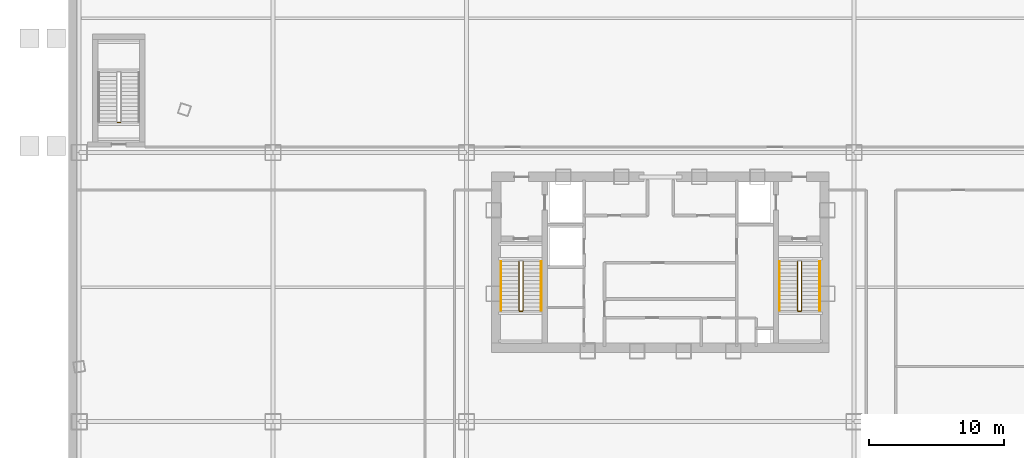
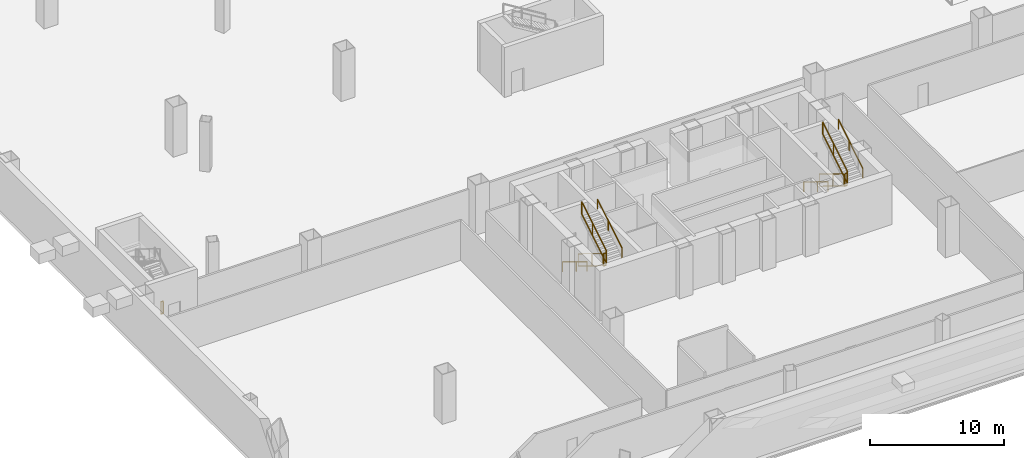
# One storey, part 13 of 16: 11 railings.
"""IFC4 building model written with IfcOpenShell, lengths in metres."""

from ifc_helpers import new_model, si_unit, direction, frame, origin, origin_2d, place, context, subcontext, project, spatial, rectangle, extrude, material, type_object, element, save


model = new_model("IFC4")

# Units and contexts
model_context = context("Model", 3, precision=1e-05, world=origin(), true_north=direction((0.0, 1.0)))
body_context = subcontext(model_context, "Body", "Model", "MODEL_VIEW")
ifc_project = project(units=[si_unit("LENGTHUNIT", "METRE"), si_unit("AREAUNIT", "SQUARE_METRE"), si_unit("VOLUMEUNIT", "CUBIC_METRE"), si_unit("PLANEANGLEUNIT", "RADIAN"), si_unit("MASSUNIT", "GRAM", prefix="KILO"), si_unit("THERMODYNAMICTEMPERATUREUNIT", "KELVIN"), si_unit("POWERUNIT", "WATT")], contexts=[model_context])

# Site, building, storey
site_placement = place(None, origin())
site = spatial("IfcSite", under=ifc_project, at=site_placement, CompositionType="ELEMENT")
building_placement = place(site_placement, origin())
building = spatial("IfcBuilding", under=site, at=building_placement, Name="Yunzhuo Pagoda Commons", CompositionType="ELEMENT")
storey_placement = place(building_placement, frame((0.0, 0.0, -4.800048828125)))
storey = spatial("IfcBuildingStorey", under=building, at=storey_placement, Name="B01", CompositionType="ELEMENT", Elevation=-4.800048828125)

# Railings
ifc_material = material(Name="Anodized aluminium 6063-T6", Category="aluminium")
railing_type_1 = type_object("IfcRailingType", Name="GR-PS3 Podium Well Guardrail 1150", PredefinedType="GUARDRAIL", material=ifc_material)
railing_1_placement = place(storey_placement, frame((7.85009765625, 44.25, 0.0)))
element("IfcRailing", 1, at=railing_1_placement, inside=storey, type_object=railing_type_1, Name="B01 PS3 stair guard 4", PredefinedType="GUARDRAIL", context=body_context, shape_type="SweptSolid", body=[
    extrude(rectangle(XDim=0.048095703125, YDim=0.048095703125, at=origin_2d()), frame((0.0, 0.0, 1.1259765625), z_axis=(-1.0, 0.0, 0.0), x_axis=(0.0, -1.0, 0.0)), (0.0, 0.0, 1.0), 0.2001953125),
    extrude(rectangle(XDim=0.048095703125, YDim=0.048095703125, at=origin_2d()), frame((0.0, 0.0, 0.02392578125), z_axis=(-1.0, 0.0, 0.0), x_axis=(0.0, -1.0, 0.0)), (0.0, 0.0, 1.0), 0.2001953125),
    extrude(rectangle(XDim=0.0419921875, YDim=0.0419921875, at=origin_2d()), origin(), (0.0, 0.0, 1.0), 1.101806640625),
    extrude(rectangle(XDim=0.0419921875, YDim=0.0419921875, at=origin_2d()), frame((-0.2001953125, 0.0, 0.0)), (0.0, 0.0, 1.0), 1.101806640625),
])
railing_type_2 = type_object("IfcRailingType", Name="GR-ST1 Stair Well Guardrail 1150", PredefinedType="GUARDRAIL", material=ifc_material)
railing_2_placement = place(storey_placement, frame((37.5, 33.89990234375, 0.17138671875)))
element("IfcRailing", 2, at=railing_2_placement, inside=storey, type_object=railing_type_2, Name="B01 ST1 stair guard 1", PredefinedType="GUARDRAIL", context=body_context, shape_type="SweptSolid", body=[
    extrude(rectangle(XDim=0.048095703125, YDim=0.048095703125, at=origin_2d()), frame((0.0, 0.0, 1.1259765625), z_axis=(0.0, -0.852824790078, 0.522197163366), x_axis=(1.0, 0.0, 0.0)), (0.0, 0.0, 1.0), 4.26806640625),
    extrude(rectangle(XDim=0.048095703125, YDim=0.048095703125, at=origin_2d()), frame((0.0, 0.0, 0.02392578125), z_axis=(0.0, -0.852824790078, 0.522197163366), x_axis=(1.0, 0.0, 0.0)), (0.0, 0.0, 1.0), 4.26806640625),
    extrude(rectangle(XDim=0.0419921875, YDim=0.0419921875, at=origin_2d()), origin(), (0.0, 0.0, 1.0), 1.101806640625),
    extrude(rectangle(XDim=0.0419921875, YDim=0.0419921875, at=origin_2d()), frame((0.0, -2.046875, 1.253173828125)), (0.0, 0.0, 1.0), 1.101806640625),
    extrude(rectangle(XDim=0.0419921875, YDim=0.0419921875, at=origin_2d()), frame((0.0, -3.639892578125, 2.228759765625)), (0.0, 0.0, 1.0), 1.101806640625),
])
railing_3_placement = place(storey_placement, frame((37.550048828125, 30.2099609375, 2.400146484375)))
element("IfcRailing", 3, at=railing_3_placement, inside=storey, type_object=railing_type_2, Name="B01 ST1 stair guard 2", PredefinedType="GUARDRAIL", context=body_context, shape_type="SweptSolid", body=[
    extrude(rectangle(XDim=0.048095703125, YDim=0.048095703125, at=origin_2d()), frame((0.0, 0.0, 1.1259765625), z_axis=(1.0, 0.0, 0.0), x_axis=(0.0, 1.0, 0.0)), (0.0, 0.0, 1.0), 0.199951171875),
    extrude(rectangle(XDim=0.048095703125, YDim=0.048095703125, at=origin_2d()), frame((0.0, 0.0, 0.02392578125), z_axis=(1.0, 0.0, 0.0), x_axis=(0.0, 1.0, 0.0)), (0.0, 0.0, 1.0), 0.199951171875),
    extrude(rectangle(XDim=0.0419921875, YDim=0.0419921875, at=origin_2d()), origin(), (0.0, 0.0, 1.0), 1.101806640625),
    extrude(rectangle(XDim=0.0419921875, YDim=0.0419921875, at=origin_2d()), frame((0.199951171875, 0.0, 0.0)), (0.0, 0.0, 1.0), 1.101806640625),
])
railing_4_placement = place(storey_placement, frame((37.800048828125, 30.260009765625, 2.571533203125)))
element("IfcRailing", 4, at=railing_4_placement, inside=storey, type_object=railing_type_2, Name="B01 ST1 stair guard 3", PredefinedType="GUARDRAIL", context=body_context, shape_type="SweptSolid", body=[
    extrude(rectangle(XDim=0.048095703125, YDim=0.048095703125, at=origin_2d()), frame((0.0, 0.0, 1.1259765625), z_axis=(0.0, 0.852850264322, 0.5221555579), x_axis=(-1.0, 0.0, 0.0)), (0.0, 0.0, 1.0), 4.267822265625),
    extrude(rectangle(XDim=0.048095703125, YDim=0.048095703125, at=origin_2d()), frame((0.0, 0.0, 0.02392578125), z_axis=(0.0, 0.852850264322, 0.5221555579), x_axis=(-1.0, 0.0, 0.0)), (0.0, 0.0, 1.0), 4.267822265625),
    extrude(rectangle(XDim=0.0419921875, YDim=0.0419921875, at=origin_2d()), origin(), (0.0, 0.0, 1.0), 1.101806640625),
    extrude(rectangle(XDim=0.0419921875, YDim=0.0419921875, at=origin_2d()), frame((0.0, 2.046875, 1.253173828125)), (0.0, 0.0, 1.0), 1.101806640625),
    extrude(rectangle(XDim=0.0419921875, YDim=0.0419921875, at=origin_2d()), frame((0.0, 3.639892578125, 2.228515625)), (0.0, 0.0, 1.0), 1.101806640625),
])
railing_type_3 = type_object("IfcRailingType", Name="GR-ST2 Stair Well Guardrail 1160", PredefinedType="GUARDRAIL", material=ifc_material)
railing_5_placement = place(storey_placement, frame((58.199951171875, 33.89990234375, 0.17138671875)))
element("IfcRailing", 5, at=railing_5_placement, inside=storey, type_object=railing_type_3, Name="B01 ST2 stair guard 1", PredefinedType="GUARDRAIL", context=body_context, shape_type="SweptSolid", body=[
    extrude(rectangle(XDim=0.048095703125, YDim=0.048095703125, at=origin_2d()), frame((0.0, 0.0, 1.1259765625), z_axis=(0.0, -0.852824790078, 0.522197163366), x_axis=(1.0, 0.0, 0.0)), (0.0, 0.0, 1.0), 4.26806640625),
    extrude(rectangle(XDim=0.048095703125, YDim=0.048095703125, at=origin_2d()), frame((0.0, 0.0, 0.02392578125), z_axis=(0.0, -0.852824790078, 0.522197163366), x_axis=(1.0, 0.0, 0.0)), (0.0, 0.0, 1.0), 4.26806640625),
    extrude(rectangle(XDim=0.0419921875, YDim=0.0419921875, at=origin_2d()), origin(), (0.0, 0.0, 1.0), 1.101806640625),
    extrude(rectangle(XDim=0.0419921875, YDim=0.0419921875, at=origin_2d()), frame((0.0, -2.046875, 1.253173828125)), (0.0, 0.0, 1.0), 1.101806640625),
    extrude(rectangle(XDim=0.0419921875, YDim=0.0419921875, at=origin_2d()), frame((0.0, -3.639892578125, 2.228759765625)), (0.0, 0.0, 1.0), 1.101806640625),
])
railing_6_placement = place(storey_placement, frame((58.25, 30.2099609375, 2.400146484375)))
element("IfcRailing", 6, at=railing_6_placement, inside=storey, type_object=railing_type_3, Name="B01 ST2 stair guard 2", PredefinedType="GUARDRAIL", context=body_context, shape_type="SweptSolid", body=[
    extrude(rectangle(XDim=0.048095703125, YDim=0.048095703125, at=origin_2d()), frame((0.0, 0.0, 1.1259765625), z_axis=(1.0, 0.0, 0.0), x_axis=(0.0, 1.0, 0.0)), (0.0, 0.0, 1.0), 0.199951171875),
    extrude(rectangle(XDim=0.048095703125, YDim=0.048095703125, at=origin_2d()), frame((0.0, 0.0, 0.02392578125), z_axis=(1.0, 0.0, 0.0), x_axis=(0.0, 1.0, 0.0)), (0.0, 0.0, 1.0), 0.199951171875),
    extrude(rectangle(XDim=0.0419921875, YDim=0.0419921875, at=origin_2d()), origin(), (0.0, 0.0, 1.0), 1.101806640625),
    extrude(rectangle(XDim=0.0419921875, YDim=0.0419921875, at=origin_2d()), frame((0.199951171875, 0.0, 0.0)), (0.0, 0.0, 1.0), 1.101806640625),
])
railing_7_placement = place(storey_placement, frame((58.5, 30.260009765625, 2.571533203125)))
element("IfcRailing", 7, at=railing_7_placement, inside=storey, type_object=railing_type_3, Name="B01 ST2 stair guard 3", PredefinedType="GUARDRAIL", context=body_context, shape_type="SweptSolid", body=[
    extrude(rectangle(XDim=0.048095703125, YDim=0.048095703125, at=origin_2d()), frame((0.0, 0.0, 1.1259765625), z_axis=(0.0, 0.852850264322, 0.5221555579), x_axis=(-1.0, 0.0, 0.0)), (0.0, 0.0, 1.0), 4.267822265625),
    extrude(rectangle(XDim=0.048095703125, YDim=0.048095703125, at=origin_2d()), frame((0.0, 0.0, 0.02392578125), z_axis=(0.0, 0.852850264322, 0.5221555579), x_axis=(-1.0, 0.0, 0.0)), (0.0, 0.0, 1.0), 4.267822265625),
    extrude(rectangle(XDim=0.0419921875, YDim=0.0419921875, at=origin_2d()), origin(), (0.0, 0.0, 1.0), 1.101806640625),
    extrude(rectangle(XDim=0.0419921875, YDim=0.0419921875, at=origin_2d()), frame((0.0, 2.046875, 1.253173828125)), (0.0, 0.0, 1.0), 1.101806640625),
    extrude(rectangle(XDim=0.0419921875, YDim=0.0419921875, at=origin_2d()), frame((0.0, 3.639892578125, 2.228515625)), (0.0, 0.0, 1.0), 1.101806640625),
])
railing_type_4 = type_object("IfcRailingType", Name="HR-ST1 Stair Handrail 900", PredefinedType="HANDRAIL", material=ifc_material)
railing_8_placement = place(storey_placement, frame((36.14990234375, 33.89990234375, 0.17138671875)))
element("IfcRailing", 8, at=railing_8_placement, inside=storey, type_object=railing_type_4, Name="B01 ST1 stair handrail 1", PredefinedType="HANDRAIL", context=body_context, shape_type="SweptSolid", body=[
    extrude(rectangle(XDim=0.048095703125, YDim=0.048095703125, at=origin_2d()), frame((0.0, 0.0, 0.8759765625), z_axis=(0.0, -0.852824790078, 0.522197163366), x_axis=(1.0, 0.0, 0.0)), (0.0, 0.0, 1.0), 4.26806640625),
    extrude(rectangle(XDim=0.0419921875, YDim=0.0419921875, at=origin_2d()), origin(), (0.0, 0.0, 1.0), 0.851806640625),
    extrude(rectangle(XDim=0.0419921875, YDim=0.0419921875, at=origin_2d()), frame((0.0, -2.046875, 1.253173828125)), (0.0, 0.0, 1.0), 0.851806640625),
    extrude(rectangle(XDim=0.0419921875, YDim=0.0419921875, at=origin_2d()), frame((0.0, -3.639892578125, 2.228759765625)), (0.0, 0.0, 1.0), 0.851806640625),
])
railing_9_placement = place(storey_placement, frame((39.14990234375, 30.260009765625, 2.571533203125)))
element("IfcRailing", 9, at=railing_9_placement, inside=storey, type_object=railing_type_4, Name="B01 ST1 stair handrail 2", PredefinedType="HANDRAIL", context=body_context, shape_type="SweptSolid", body=[
    extrude(rectangle(XDim=0.048095703125, YDim=0.048095703125, at=origin_2d()), frame((0.0, 0.0, 0.8759765625), z_axis=(0.0, 0.852850264322, 0.5221555579), x_axis=(-1.0, 0.0, 0.0)), (0.0, 0.0, 1.0), 4.267822265625),
    extrude(rectangle(XDim=0.0419921875, YDim=0.0419921875, at=origin_2d()), origin(), (0.0, 0.0, 1.0), 0.851806640625),
    extrude(rectangle(XDim=0.0419921875, YDim=0.0419921875, at=origin_2d()), frame((0.0, 2.046875, 1.253173828125)), (0.0, 0.0, 1.0), 0.851806640625),
    extrude(rectangle(XDim=0.0419921875, YDim=0.0419921875, at=origin_2d()), frame((0.0, 3.639892578125, 2.228515625)), (0.0, 0.0, 1.0), 0.851806640625),
])
railing_type_5 = type_object("IfcRailingType", Name="HR-ST2 Stair Handrail 900", PredefinedType="HANDRAIL", material=ifc_material)
railing_10_placement = place(storey_placement, frame((56.85009765625, 33.89990234375, 0.17138671875)))
element("IfcRailing", 10, at=railing_10_placement, inside=storey, type_object=railing_type_5, Name="B01 ST2 stair handrail 1", PredefinedType="HANDRAIL", context=body_context, shape_type="SweptSolid", body=[
    extrude(rectangle(XDim=0.048095703125, YDim=0.048095703125, at=origin_2d()), frame((0.0, 0.0, 0.8759765625), z_axis=(0.0, -0.852824790078, 0.522197163366), x_axis=(1.0, 0.0, 0.0)), (0.0, 0.0, 1.0), 4.26806640625),
    extrude(rectangle(XDim=0.0419921875, YDim=0.0419921875, at=origin_2d()), origin(), (0.0, 0.0, 1.0), 0.851806640625),
    extrude(rectangle(XDim=0.0419921875, YDim=0.0419921875, at=origin_2d()), frame((0.0, -2.046875, 1.253173828125)), (0.0, 0.0, 1.0), 0.851806640625),
    extrude(rectangle(XDim=0.0419921875, YDim=0.0419921875, at=origin_2d()), frame((0.0, -3.639892578125, 2.228759765625)), (0.0, 0.0, 1.0), 0.851806640625),
])
railing_11_placement = place(storey_placement, frame((59.85009765625, 30.260009765625, 2.571533203125)))
element("IfcRailing", 11, at=railing_11_placement, inside=storey, type_object=railing_type_5, Name="B01 ST2 stair handrail 2", PredefinedType="HANDRAIL", context=body_context, shape_type="SweptSolid", body=[
    extrude(rectangle(XDim=0.048095703125, YDim=0.048095703125, at=origin_2d()), frame((0.0, 0.0, 0.8759765625), z_axis=(0.0, 0.852850264322, 0.5221555579), x_axis=(-1.0, 0.0, 0.0)), (0.0, 0.0, 1.0), 4.267822265625),
    extrude(rectangle(XDim=0.0419921875, YDim=0.0419921875, at=origin_2d()), origin(), (0.0, 0.0, 1.0), 0.851806640625),
    extrude(rectangle(XDim=0.0419921875, YDim=0.0419921875, at=origin_2d()), frame((0.0, 2.046875, 1.253173828125)), (0.0, 0.0, 1.0), 0.851806640625),
    extrude(rectangle(XDim=0.0419921875, YDim=0.0419921875, at=origin_2d()), frame((0.0, 3.639892578125, 2.228515625)), (0.0, 0.0, 1.0), 0.851806640625),
])

save(model, "model.ifc")
